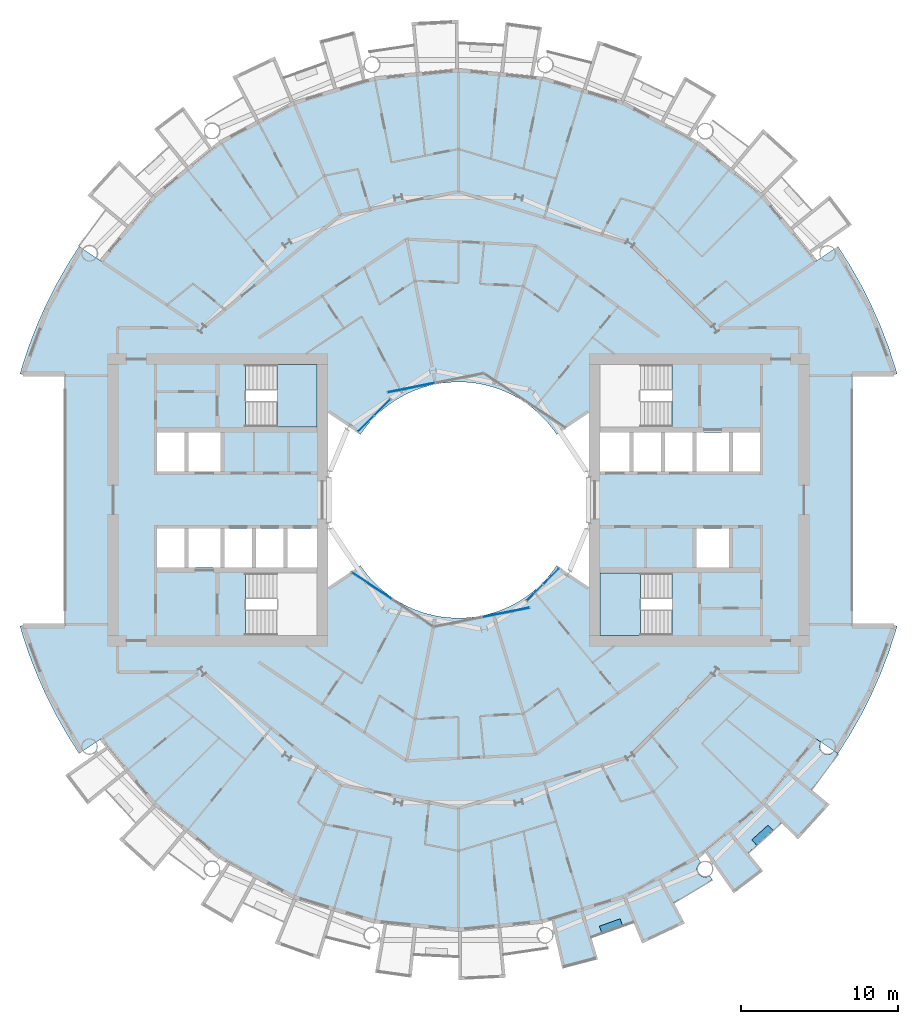
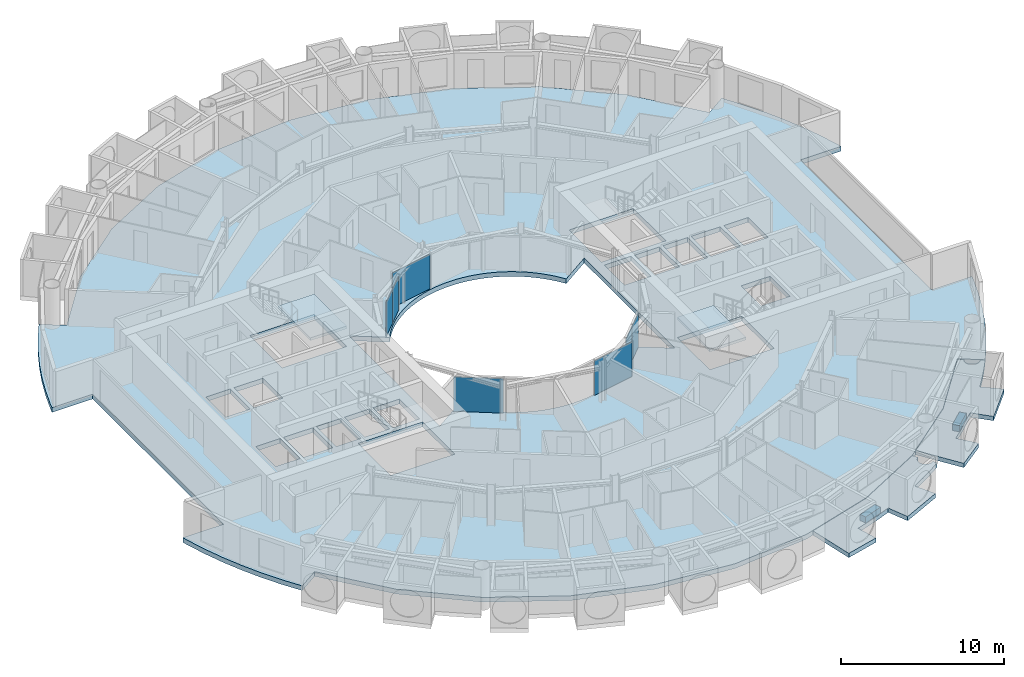
# One storey, part 10 of 26: 7 plates, 7 slabs, 7 elements without a shape of their own.
"""IFC4 building model written with IfcOpenShell, lengths in metres."""

from ifc_helpers import new_model, si_unit, direction, frame, origin, origin_2d, place, context, subcontext, project, spatial, polyline, rectangle, outline, extrude, material, layer, layer_set, type_object, element, aggregate, save


model = new_model("IFC4")

# Units and contexts
model_context = context("Model", 3, precision=1e-05, world=origin(), true_north=direction((0.0, 1.0)))
body_context = subcontext(model_context, "Body", "Model", "MODEL_VIEW")
ifc_project = project(units=[si_unit("LENGTHUNIT", "METRE"), si_unit("AREAUNIT", "SQUARE_METRE"), si_unit("VOLUMEUNIT", "CUBIC_METRE"), si_unit("PLANEANGLEUNIT", "RADIAN"), si_unit("MASSUNIT", "GRAM", prefix="KILO")], contexts=[model_context])

# Site, building, storey
site_placement = place(None, origin())
site = spatial("IfcSite", under=ifc_project, at=site_placement, CompositionType="ELEMENT")
building_placement = place(site_placement, origin())
building = spatial("IfcBuilding", under=site, at=building_placement, Name="Maasbend Ring Residences", CompositionType="ELEMENT")
storey_placement = place(building_placement, frame((0.0, 0.0, 91.050048828125)))
storey = spatial("IfcBuildingStorey", under=building, at=storey_placement, Name="L26", CompositionType="ELEMENT", Elevation=91.050048828125)

# Stair, slab
ifc_material_1 = material(Name="Concrete C40/50", Category="concrete")
stair_type = type_object("IfcStairType", Name="CORE STAIR 18 RISERS", PredefinedType="HALF_TURN_STAIR", material=ifc_material_1)
stair_1_placement = place(storey_placement, origin())
stair_1 = element("IfcStair", 1, at=stair_1_placement, inside=storey, type_object=stair_type, Name="L26 Exit stair ST-E2", PredefinedType="HALF_TURN_STAIR")
ifc_material_2 = material(Name="Concrete C40/50", Category="concrete")
ifc_layer_1 = layer(ifc_material_2, 0.199951171875)
ifc_layer_set_1 = layer_set([ifc_layer_1], Name="Concrete C40/50")
slab_type_1 = type_object("IfcSlabType", Name="CORE STAIR LANDING 200", PredefinedType="LANDING", material=ifc_layer_set_1)
slab_1_placement = place(storey_placement, frame((0.0, 0.0, 1.324951171875)))
slab_1 = element("IfcSlab", 2, at=slab_1_placement, type_object=slab_type_1, Name="ST-E2 landing 1", PredefinedType="LANDING", context=body_context, shape_type="SweptSolid", body=[
    extrude(outline(polyline([(11.550048828125, -4.64990234375), (9.0, -4.64990234375), (9.0, -8.60009765625), (11.550048828125, -8.60009765625), (11.550048828125, -4.64990234375)])), origin(), (0.0, 0.0, 1.0), 0.199951171875),
])
aggregate(stair_1, [slab_1])

stair_2_placement = place(storey_placement, origin())
stair_2 = element("IfcStair", 3, at=stair_2_placement, inside=storey, type_object=stair_type, Name="L26 Exit stair ST-W2", PredefinedType="HALF_TURN_STAIR")
slab_2_placement = place(storey_placement, frame((0.0, 0.0, 1.324951171875)))
slab_2 = element("IfcSlab", 4, at=slab_2_placement, type_object=slab_type_1, Name="ST-W2 landing 1", PredefinedType="LANDING", context=body_context, shape_type="SweptSolid", body=[
    extrude(outline(polyline([(-11.550048828125, 4.64990234375), (-9.0, 4.64990234375), (-9.0, 8.60009765625), (-11.550048828125, 8.60009765625), (-11.550048828125, 4.64990234375)])), origin(), (0.0, 0.0, 1.0), 0.199951171875),
])
aggregate(stair_2, [slab_2])

# Curtain wall, plate
ifc_material_3 = material(Name="Aluminium and clear glass", Category="aluminium")
ifc_layer_2 = layer(ifc_material_3, 0.179931640625)
ifc_layer_set_2 = layer_set([ifc_layer_2], Name="CW-W")
curtain_wall_type = type_object("IfcCurtainWallType", Name="CW-W", PredefinedType="NOTDEFINED", material=ifc_layer_set_2)
curtain_wall_1_placement = place(storey_placement, origin())
curtain_wall_1 = element("IfcCurtainWall", 5, at=curtain_wall_1_placement, inside=storey, type_object=curtain_wall_type, Name="Well curtain wall N2", PredefinedType="NOTDEFINED")
ifc_material_4 = material(Name="Glass clear laminated", Category="glass")
ifc_layer_3 = layer(ifc_material_4, 0.031982421875)
ifc_layer_set_3 = layer_set([ifc_layer_3], Name="CWP-W")
plate_type = type_object("IfcPlateType", Name="CWP-W", PredefinedType="CURTAIN_PANEL", material=ifc_layer_set_3)
plate_1_placement = place(storey_placement, frame((-3.0078125, 7.140380859375, 0.0), z_axis=(0.0, 0.0, 1.0), x_axis=(-0.980785280403, -0.195090322016, 0.0)))
plate_1 = element("IfcPlate", 6, at=plate_1_placement, type_object=plate_type, Name="Glass panel well face", PredefinedType="CURTAIN_PANEL", context=body_context, shape_type="SweptSolid", body=[
    extrude(rectangle(XDim=3.053955078125, YDim=0.031982421875, at=origin_2d()), origin(), (0.0, 0.0, 1.0), 2.580078125),
])
aggregate(curtain_wall_1, [plate_1])

# Curtain wall, plates
curtain_wall_2_placement = place(storey_placement, origin())
curtain_wall_2 = element("IfcCurtainWall", 7, at=curtain_wall_2_placement, inside=storey, type_object=curtain_wall_type, Name="Well curtain wall N3", PredefinedType="NOTDEFINED")
plate_2_placement = place(storey_placement, frame((-4.84375, 5.89013671875, 0.0), z_axis=(0.0, 0.0, 1.0), x_axis=(-0.707106781187, -0.707106781187, 0.0)))
plate_2 = element("IfcPlate", 8, at=plate_2_placement, type_object=plate_type, Name="Glass panel well face", PredefinedType="CURTAIN_PANEL", context=body_context, shape_type="SweptSolid", body=[
    extrude(rectangle(XDim=1.419677734375, YDim=0.031982421875, at=origin_2d()), origin(), (0.0, 0.0, 1.0), 2.580078125),
])
plate_3_placement = place(storey_placement, frame((-5.89013671875, 4.84375, 0.0), z_axis=(0.0, 0.0, 1.0), x_axis=(-0.707106781187, -0.707106781187, 0.0)))
plate_3 = element("IfcPlate", 9, at=plate_3_placement, type_object=plate_type, Name="Glass panel well face", PredefinedType="CURTAIN_PANEL", context=body_context, shape_type="SweptSolid", body=[
    extrude(rectangle(XDim=1.419677734375, YDim=0.031982421875, at=origin_2d()), origin(), (0.0, 0.0, 1.0), 2.580078125),
])
aggregate(curtain_wall_2, [plate_2, plate_3])

# Curtain wall, plate
curtain_wall_3_placement = place(storey_placement, origin())
curtain_wall_3 = element("IfcCurtainWall", 10, at=curtain_wall_3_placement, inside=storey, type_object=curtain_wall_type, Name="Well curtain wall S1", PredefinedType="NOTDEFINED")
plate_4_placement = place(storey_placement, frame((-5.51123046875, -5.44580078125, 0.0), z_axis=(0.0, 0.0, 1.0), x_axis=(0.831469612303, -0.55557023302, 0.0)))
plate_4 = element("IfcPlate", 11, at=plate_4_placement, type_object=plate_type, Name="Glass panel well face", PredefinedType="CURTAIN_PANEL", context=body_context, shape_type="SweptSolid", body=[
    extrude(rectangle(XDim=3.053955078125, YDim=0.031982421875, at=origin_2d()), origin(), (0.0, 0.0, 1.0), 2.580078125),
])
aggregate(curtain_wall_3, [plate_4])

curtain_wall_4_placement = place(storey_placement, origin())
curtain_wall_4 = element("IfcCurtainWall", 12, at=curtain_wall_4_placement, inside=storey, type_object=curtain_wall_type, Name="Well curtain wall S2", PredefinedType="NOTDEFINED")
plate_5_placement = place(storey_placement, frame((3.0078125, -7.140380859375, 0.0), z_axis=(0.0, 0.0, 1.0), x_axis=(0.980785280403, 0.195090322016, 0.0)))
plate_5 = element("IfcPlate", 13, at=plate_5_placement, type_object=plate_type, Name="Glass panel well face", PredefinedType="CURTAIN_PANEL", context=body_context, shape_type="SweptSolid", body=[
    extrude(rectangle(XDim=3.053955078125, YDim=0.031982421875, at=origin_2d()), origin(), (0.0, 0.0, 1.0), 2.580078125),
])
aggregate(curtain_wall_4, [plate_5])

# Curtain wall, plates
curtain_wall_5_placement = place(storey_placement, origin())
curtain_wall_5 = element("IfcCurtainWall", 14, at=curtain_wall_5_placement, inside=storey, type_object=curtain_wall_type, Name="Well curtain wall S3", PredefinedType="NOTDEFINED")
plate_6_placement = place(storey_placement, frame((4.84375, -5.89013671875, 0.0), z_axis=(0.0, 0.0, 1.0), x_axis=(0.707106781187, 0.707106781187, 0.0)))
plate_6 = element("IfcPlate", 15, at=plate_6_placement, type_object=plate_type, Name="Glass panel well face", PredefinedType="CURTAIN_PANEL", context=body_context, shape_type="SweptSolid", body=[
    extrude(rectangle(XDim=1.419677734375, YDim=0.031982421875, at=origin_2d()), origin(), (0.0, 0.0, 1.0), 2.580078125),
])
plate_7_placement = place(storey_placement, frame((5.89013671875, -4.84375, 0.0), z_axis=(0.0, 0.0, 1.0), x_axis=(0.707106781187, 0.707106781187, 0.0)))
plate_7 = element("IfcPlate", 16, at=plate_7_placement, type_object=plate_type, Name="Glass panel well face", PredefinedType="CURTAIN_PANEL", context=body_context, shape_type="SweptSolid", body=[
    extrude(rectangle(XDim=1.419677734375, YDim=0.031982421875, at=origin_2d()), origin(), (0.0, 0.0, 1.0), 2.580078125),
])
aggregate(curtain_wall_5, [plate_6, plate_7])

# Slabs
ifc_material_5 = material(Name="Planting with climbing greenery")
ifc_layer_4 = layer(ifc_material_5, 0.449951171875)
ifc_layer_set_4 = layer_set([ifc_layer_4], Name="PLANTER-LG")
slab_type_2 = type_object("IfcSlabType", Name="PLANTER-LG", PredefinedType="USERDEFINED", material=ifc_layer_set_4)
slab_3_placement = place(storey_placement, frame((0.0, 0.0, -0.030029296875)))
element("IfcSlab", 17, at=slab_3_placement, inside=storey, type_object=slab_type_2, Name="Planter with climbing greenery 4", ObjectType="PLANTER", PredefinedType="USERDEFINED", context=body_context, shape_type="SweptSolid", body=[
    extrude(outline(polyline([(9.09912109375, -27.508056640625), (10.4169921875, -27.035888671875), (10.26611328125, -26.612060546875), (8.947021484375, -27.083984375), (9.09912109375, -27.508056640625)])), origin(), (0.0, 0.0, 1.0), 0.449951171875),
])
slab_4_placement = place(storey_placement, frame((0.0, 0.0, -0.030029296875)))
element("IfcSlab", 18, at=slab_4_placement, inside=storey, type_object=slab_type_2, Name="Planter with climbing greenery 5", ObjectType="PLANTER", PredefinedType="USERDEFINED", context=body_context, shape_type="SweptSolid", body=[
    extrude(outline(polyline([(18.93310546875, -21.931884765625), (19.969970703125, -20.991943359375), (19.66796875, -20.657958984375), (18.631103515625, -21.597900390625), (18.93310546875, -21.931884765625)])), origin(), (0.0, 0.0, 1.0), 0.449951171875),
])
ifc_material_6 = material(Name="Concrete C40/50", Category="concrete")
ifc_layer_5 = layer(ifc_material_6, 0.35009765625)
ifc_layer_set_5 = layer_set([ifc_layer_5], Name="Concrete C40/50")
slab_type_3 = type_object("IfcSlabType", Name="Post-tensioned flat plate 350", PredefinedType="FLOOR", material=ifc_layer_set_5)
slab_5_placement = place(storey_placement, frame((0.0, 0.0, -0.35009765625)))
element("IfcSlab", 19, at=slab_5_placement, inside=storey, type_object=slab_type_3, Name="Floor slab L26", PredefinedType="FLOOR", context=body_context, shape_type="SweptSolid", body=[
    extrude(outline(polyline([(24.8740234375, -14.908935546875), (25.57568359375, -13.67041015625), (26.2158203125, -12.399169921875), (26.79248046875, -11.097900390625), (27.3046875, -9.769775390625), (27.751220703125, -8.418212890625), (27.866943359375, -8.0), (25.0, -8.0), (25.0, 8.0), (27.866943359375, 8.0), (27.751220703125, 8.418212890625), (27.3046875, 9.769775390625), (26.79248046875, 11.097900390625), (26.2158203125, 12.399169921875), (25.57568359375, 13.67041015625), (24.8740234375, 14.908935546875), (24.112548828125, 16.111572265625), (22.69921875, 15.1669921875), (19.303955078125, 19.303955078125), (15.1669921875, 22.69921875), (10.447265625, 25.221923828125), (5.325927734375, 26.775390625), (0.0, 27.300048828125), (-5.325927734375, 26.775390625), (-10.447265625, 25.221923828125), (-15.1669921875, 22.69921875), (-19.303955078125, 19.303955078125), (-22.69921875, 15.1669921875), (-24.112548828125, 16.111572265625), (-24.8740234375, 14.908935546875), (-25.57568359375, 13.67041015625), (-26.2158203125, 12.399169921875), (-26.79248046875, 11.097900390625), (-27.3046875, 9.769775390625), (-27.751220703125, 8.418212890625), (-27.866943359375, 8.0), (-25.0, 8.0), (-25.0, -8.0), (-27.866943359375, -8.0), (-27.751220703125, -8.418212890625), (-27.3046875, -9.769775390625), (-26.79248046875, -11.097900390625), (-26.2158203125, -12.399169921875), (-25.57568359375, -13.67041015625), (-24.8740234375, -14.908935546875), (-24.112548828125, -16.111572265625), (-22.69921875, -15.1669921875), (-19.303955078125, -19.303955078125), (-15.1669921875, -22.69921875), (-10.447265625, -25.221923828125), (-5.325927734375, -26.775390625), (0.0, -27.300048828125), (5.325927734375, -26.775390625), (10.447265625, -25.221923828125), (15.1669921875, -22.69921875), (19.303955078125, -19.303955078125), (22.69921875, -15.1669921875), (24.112548828125, -16.111572265625), (24.8740234375, -14.908935546875)]), holes=[polyline([(17.425048828125, 4.27490234375), (19.14990234375, 4.27490234375), (19.14990234375, 1.824951171875), (17.425048828125, 1.824951171875), (17.425048828125, 4.27490234375)]), polyline([(15.125, 1.824951171875), (15.125, 4.27490234375), (17.175048828125, 4.27490234375), (17.175048828125, 1.824951171875), (15.125, 1.824951171875)]), polyline([(15.125, -4.27490234375), (15.125, -1.824951171875), (17.175048828125, -1.824951171875), (17.175048828125, -4.27490234375), (15.125, -4.27490234375)]), polyline([(13.125, 1.824951171875), (13.125, 4.27490234375), (14.875, 4.27490234375), (14.875, 1.824951171875), (13.125, 1.824951171875)]), polyline([(13.550048828125, 4.64990234375), (9.0, 4.64990234375), (9.0, 8.60009765625), (13.550048828125, 8.60009765625), (13.550048828125, 4.64990234375)]), polyline([(13.550048828125, -4.64990234375), (13.550048828125, -8.60009765625), (9.0, -8.60009765625), (9.0, -4.64990234375), (13.550048828125, -4.64990234375)]), polyline([(11.125, 1.824951171875), (11.125, 4.27490234375), (12.875, 4.27490234375), (12.875, 1.824951171875), (11.125, 1.824951171875)]), polyline([(9.0, 1.824951171875), (9.0, 4.27490234375), (10.875, 4.27490234375), (10.875, 1.824951171875), (9.0, 1.824951171875)]), polyline([(6.024169921875, 4.4677734375), (6.236083984375, 4.166748046875), (8.300048828125, 5.5458984375), (8.300048828125, -5.5458984375), (6.236083984375, -4.166748046875), (6.024169921875, -4.4677734375), (5.797607421875, -4.7578125), (5.55712890625, -5.03662109375), (5.30322265625, -5.30322265625), (5.03662109375, -5.55712890625), (4.7578125, -5.797607421875), (4.4677734375, -6.024169921875), (4.166748046875, -6.236083984375), (3.855712890625, -6.43310546875), (3.535400390625, -6.614501953125), (3.206787109375, -6.77978515625), (2.8701171875, -6.92919921875), (2.526611328125, -7.0615234375), (2.177001953125, -7.177001953125), (1.822509765625, -7.275146484375), (1.463134765625, -7.35595703125), (1.1005859375, -7.418701171875), (0.735107421875, -7.4638671875), (0.367919921875, -7.490966796875), (0.0, -7.5), (-0.367919921875, -7.490966796875), (-0.735107421875, -7.4638671875), (-1.1005859375, -7.418701171875), (-1.463134765625, -7.35595703125), (-1.822509765625, -7.275146484375), (-2.177001953125, -7.177001953125), (-2.526611328125, -7.0615234375), (-2.8701171875, -6.92919921875), (-3.206787109375, -6.77978515625), (-3.535400390625, -6.614501953125), (-3.855712890625, -6.43310546875), (-4.166748046875, -6.236083984375), (-4.4677734375, -6.024169921875), (-4.7578125, -5.797607421875), (-5.03662109375, -5.55712890625), (-5.30322265625, -5.30322265625), (-5.55712890625, -5.03662109375), (-5.797607421875, -4.7578125), (-6.024169921875, -4.4677734375), (-6.236083984375, -4.166748046875), (-8.300048828125, -5.5458984375), (-8.300048828125, 5.5458984375), (-6.236083984375, 4.166748046875), (-6.236083984375, 4.166748046875), (-6.024169921875, 4.4677734375), (-5.797607421875, 4.7578125), (-5.55712890625, 5.03662109375), (-5.30322265625, 5.30322265625), (-5.03662109375, 5.55712890625), (-4.7578125, 5.797607421875), (-4.4677734375, 6.024169921875), (-4.166748046875, 6.236083984375), (-3.855712890625, 6.43310546875), (-3.535400390625, 6.614501953125), (-3.206787109375, 6.77978515625), (-2.8701171875, 6.92919921875), (-2.526611328125, 7.0615234375), (-2.177001953125, 7.177001953125), (-1.822509765625, 7.275146484375), (-1.463134765625, 7.35595703125), (-1.1005859375, 7.418701171875), (-0.735107421875, 7.4638671875), (-0.367919921875, 7.490966796875), (0.0, 7.5), (0.367919921875, 7.490966796875), (0.735107421875, 7.4638671875), (1.1005859375, 7.418701171875), (1.463134765625, 7.35595703125), (1.822509765625, 7.275146484375), (2.177001953125, 7.177001953125), (2.526611328125, 7.0615234375), (2.8701171875, 6.92919921875), (3.206787109375, 6.77978515625), (3.535400390625, 6.614501953125), (3.855712890625, 6.43310546875), (4.166748046875, 6.236083984375), (4.4677734375, 6.024169921875), (4.7578125, 5.797607421875), (5.03662109375, 5.55712890625), (5.30322265625, 5.30322265625), (5.55712890625, 5.03662109375), (5.797607421875, 4.7578125), (6.024169921875, 4.4677734375)]), polyline([(-13.550048828125, 4.64990234375), (-13.550048828125, 8.60009765625), (-9.0, 8.60009765625), (-9.0, 4.64990234375), (-13.550048828125, 4.64990234375)]), polyline([(-13.550048828125, -8.60009765625), (-13.550048828125, -4.64990234375), (-9.0, -4.64990234375), (-9.0, -8.60009765625), (-13.550048828125, -8.60009765625)]), polyline([(-9.0, -1.824951171875), (-9.0, -4.27490234375), (-10.875, -4.27490234375), (-10.875, -1.824951171875), (-9.0, -1.824951171875)]), polyline([(-11.125, -1.824951171875), (-11.125, -4.27490234375), (-12.875, -4.27490234375), (-12.875, -1.824951171875), (-11.125, -1.824951171875)]), polyline([(-13.125, -1.824951171875), (-13.125, -4.27490234375), (-14.875, -4.27490234375), (-14.875, -1.824951171875), (-13.125, -1.824951171875)]), polyline([(-15.125, 4.27490234375), (-15.125, 1.824951171875), (-17.175048828125, 1.824951171875), (-17.175048828125, 4.27490234375), (-15.125, 4.27490234375)]), polyline([(-15.125, -1.824951171875), (-15.125, -4.27490234375), (-17.175048828125, -4.27490234375), (-17.175048828125, -1.824951171875), (-15.125, -1.824951171875)]), polyline([(-17.425048828125, -1.824951171875), (-17.425048828125, -4.27490234375), (-19.14990234375, -4.27490234375), (-19.14990234375, -1.824951171875), (-17.425048828125, -1.824951171875)]), polyline([(-17.425048828125, 4.27490234375), (-17.425048828125, 1.824951171875), (-19.14990234375, 1.824951171875), (-19.14990234375, 4.27490234375), (-17.425048828125, 4.27490234375)])]), origin(), (0.0, 0.0, 1.0), 0.35009765625),
])
ifc_material_7 = material(Name="Concrete C40/50", Category="concrete")
ifc_layer_6 = layer(ifc_material_7, 0.199951171875)
ifc_layer_set_6 = layer_set([ifc_layer_6], Name="Concrete C40/50")
slab_type_4 = type_object("IfcSlabType", Name="SL-LOGGIA", PredefinedType="FLOOR", material=ifc_layer_set_6)
slab_6_placement = place(storey_placement, frame((0.0, 0.0, -0.35009765625)))
element("IfcSlab", 20, at=slab_6_placement, inside=storey, type_object=slab_type_4, Name="Loggia floor 1", PredefinedType="FLOOR", context=body_context, shape_type="SweptSolid", body=[
    extrude(outline(polyline([(10.447021484375, -25.221923828125), (12.806884765625, -23.9609375), (15.1669921875, -22.698974609375), (15.1669921875, -22.698974609375), (15.1669921875, -22.698974609375), (15.385009765625, -23.02490234375), (15.375, -23.031982421875), (15.364013671875, -23.0390625), (15.35498046875, -23.047119140625), (15.344970703125, -23.054931640625), (15.3349609375, -23.06298828125), (15.325927734375, -23.071044921875), (15.31689453125, -23.0791015625), (15.30810546875, -23.087890625), (15.299072265625, -23.096923828125), (15.291015625, -23.10595703125), (15.281982421875, -23.115966796875), (15.27392578125, -23.125), (15.26708984375, -23.135009765625), (15.259033203125, -23.14501953125), (15.251953125, -23.155029296875), (15.2451171875, -23.1650390625), (15.238037109375, -23.176025390625), (15.23095703125, -23.18603515625), (15.22509765625, -23.197021484375), (15.218994140625, -23.2080078125), (15.212890625, -23.218994140625), (15.2080078125, -23.22998046875), (15.202880859375, -23.241943359375), (15.197998046875, -23.2529296875), (15.193115234375, -23.264892578125), (15.18896484375, -23.27587890625), (15.18505859375, -23.2880859375), (15.180908203125, -23.300048828125), (15.177978515625, -23.31201171875), (15.174072265625, -23.323974609375), (15.1708984375, -23.3359375), (15.1689453125, -23.347900390625), (15.1669921875, -23.361083984375), (15.1650390625, -23.373046875), (15.1630859375, -23.385009765625), (15.162109375, -23.39794921875), (15.159912109375, -23.409912109375), (15.159912109375, -23.422119140625), (15.158935546875, -23.43505859375), (15.158935546875, -23.447021484375), (15.158935546875, -23.4599609375), (15.159912109375, -23.471923828125), (15.159912109375, -23.485107421875), (15.162109375, -23.4970703125), (15.1630859375, -23.510009765625), (15.1650390625, -23.52197265625), (15.1669921875, -23.533935546875), (15.1689453125, -23.547119140625), (15.1708984375, -23.55908203125), (15.174072265625, -23.571044921875), (15.177978515625, -23.5830078125), (15.180908203125, -23.594970703125), (15.18505859375, -23.60693359375), (15.18896484375, -23.618896484375), (15.193115234375, -23.6298828125), (15.197998046875, -23.64208984375), (15.202880859375, -23.653076171875), (15.2080078125, -23.6650390625), (15.212890625, -23.676025390625), (15.218994140625, -23.68701171875), (15.22509765625, -23.697998046875), (15.23095703125, -23.708984375), (15.238037109375, -23.718994140625), (15.2451171875, -23.72998046875), (15.251953125, -23.739990234375), (15.259033203125, -23.75), (15.26708984375, -23.760009765625), (15.27392578125, -23.77001953125), (15.281982421875, -23.779052734375), (15.291015625, -23.7890625), (15.299072265625, -23.798095703125), (15.30810546875, -23.806884765625), (15.31689453125, -23.81494140625), (15.325927734375, -23.823974609375), (15.3349609375, -23.83203125), (15.344970703125, -23.840087890625), (15.35498046875, -23.847900390625), (15.364013671875, -23.85498046875), (15.375, -23.863037109375), (15.385009765625, -23.8701171875), (15.39501953125, -23.876953125), (15.406005859375, -23.883056640625), (15.4169921875, -23.888916015625), (15.427978515625, -23.89501953125), (15.43896484375, -23.90087890625), (15.449951171875, -23.906982421875), (15.4609375, -23.912109375), (15.472900390625, -23.9169921875), (15.48388671875, -23.9208984375), (15.49609375, -23.926025390625), (15.508056640625, -23.929931640625), (15.52001953125, -23.93408203125), (15.531982421875, -23.93701171875), (15.5439453125, -23.93994140625), (15.555908203125, -23.943115234375), (15.568115234375, -23.946044921875), (15.580078125, -23.947998046875), (15.593017578125, -23.949951171875), (15.60498046875, -23.951904296875), (15.616943359375, -23.952880859375), (15.6298828125, -23.9541015625), (15.64208984375, -23.955078125), (15.655029296875, -23.955078125), (15.6669921875, -23.955078125), (15.679931640625, -23.955078125), (15.69189453125, -23.955078125), (15.7041015625, -23.9541015625), (15.717041015625, -23.952880859375), (15.72900390625, -23.951904296875), (15.741943359375, -23.949951171875), (15.75390625, -23.947998046875), (15.76611328125, -23.946044921875), (15.778076171875, -23.943115234375), (15.791015625, -23.93994140625), (15.802978515625, -23.93701171875), (15.81494140625, -23.93408203125), (15.825927734375, -23.929931640625), (15.837890625, -23.926025390625), (15.85009765625, -23.9208984375), (15.862060546875, -23.9169921875), (15.873046875, -23.912109375), (15.884033203125, -23.906982421875), (15.89599609375, -23.90087890625), (15.906982421875, -23.89501953125), (15.9169921875, -23.888916015625), (15.927978515625, -23.883056640625), (15.93896484375, -23.876953125), (15.948974609375, -23.8701171875), (16.112060546875, -24.113037109375), (16.112060546875, -24.113037109375), (16.112060546875, -24.113037109375), (15.31396484375, -24.626953125), (15.31396484375, -24.626953125), (14.5, -25.114990234375), (14.5, -25.114990234375), (13.6708984375, -25.574951171875), (13.6708984375, -25.575927734375), (13.6708984375, -25.575927734375), (13.6708984375, -25.575927734375), (13.6708984375, -25.575927734375), (13.6708984375, -25.575927734375), (13.6708984375, -25.575927734375), (13.6708984375, -25.575927734375), (13.6708984375, -25.575927734375), (13.6708984375, -25.575927734375), (13.6708984375, -25.575927734375), (13.6708984375, -25.575927734375), (13.6708984375, -25.575927734375), (13.6708984375, -25.575927734375), (13.6708984375, -25.575927734375), (13.6708984375, -25.575927734375), (13.6708984375, -25.575927734375), (14.3779296875, -26.89892578125), (14.3779296875, -26.89892578125), (14.3779296875, -26.89892578125), (11.672119140625, -28.177978515625), (11.672119140625, -28.177978515625), (11.672119140625, -28.177978515625), (11.097900390625, -26.79296875), (11.097900390625, -26.79296875), (11.097900390625, -26.79296875), (11.097900390625, -26.79296875), (11.097900390625, -26.79296875), (11.097900390625, -26.79296875), (11.097900390625, -26.79296875), (11.097900390625, -26.79296875), (11.097900390625, -26.79296875), (11.097900390625, -26.79296875), (11.097900390625, -26.79296875), (11.097900390625, -26.79296875), (11.097900390625, -26.79296875), (11.097900390625, -26.79296875), (11.096923828125, -26.79296875), (11.096923828125, -26.79296875), (11.096923828125, -26.79296875), (10.215087890625, -27.14111328125), (10.215087890625, -27.14111328125), (9.322021484375, -27.4609375), (9.322021484375, -27.4609375), (8.4189453125, -27.7509765625), (8.4189453125, -27.7509765625), (8.4189453125, -27.7509765625), (8.4189453125, -27.7509765625), (8.4189453125, -27.7509765625), (8.4189453125, -27.7509765625), (8.41796875, -27.7509765625), (8.41796875, -27.7509765625), (8.41796875, -27.7509765625), (8.41796875, -27.7509765625), (8.41796875, -27.7509765625), (8.41796875, -27.751953125), (8.41796875, -27.751953125), (8.41796875, -27.751953125), (8.41796875, -27.751953125), (8.41796875, -27.751953125), (8.41796875, -27.751953125), (8.85400390625, -29.18701171875), (8.85400390625, -29.18701171875), (8.85400390625, -29.18701171875), (6.593994140625, -29.779052734375), (6.593994140625, -29.779052734375), (6.593994140625, -29.779052734375), (5.89111328125, -26.60400390625), (5.89111328125, -26.60400390625), (5.89111328125, -26.60400390625), (7.886962890625, -25.9990234375), (10.447021484375, -25.221923828125), (10.447021484375, -25.221923828125), (10.447021484375, -25.221923828125)])), origin(), (0.0, 0.0, 1.0), 0.320068359375),
])
slab_7_placement = place(storey_placement, frame((0.0, 0.0, -0.35009765625)))
element("IfcSlab", 21, at=slab_7_placement, inside=storey, type_object=slab_type_4, Name="Loggia floor 4", PredefinedType="FLOOR", context=body_context, shape_type="SweptSolid", body=[
    extrude(outline(polyline([(19.303955078125, -19.303955078125), (21.001953125, -17.236083984375), (22.698974609375, -15.1669921875), (22.698974609375, -15.1669921875), (22.698974609375, -15.1669921875), (23.02490234375, -15.385009765625), (23.02490234375, -15.385009765625), (23.01806640625, -15.39501953125), (23.011962890625, -15.406005859375), (23.0048828125, -15.4169921875), (22.9990234375, -15.427978515625), (22.993896484375, -15.43896484375), (22.988037109375, -15.449951171875), (22.98291015625, -15.4609375), (22.97802734375, -15.472900390625), (22.972900390625, -15.48388671875), (22.968994140625, -15.49609375), (22.965087890625, -15.508056640625), (22.9609375, -15.52001953125), (22.9580078125, -15.531982421875), (22.955078125, -15.5439453125), (22.951904296875, -15.555908203125), (22.948974609375, -15.568115234375), (22.947021484375, -15.580078125), (22.945068359375, -15.593017578125), (22.943115234375, -15.60498046875), (22.94189453125, -15.616943359375), (22.94091796875, -15.6298828125), (22.93994140625, -15.64208984375), (22.93994140625, -15.655029296875), (22.93896484375, -15.6669921875), (22.93994140625, -15.679931640625), (22.93994140625, -15.69189453125), (22.94091796875, -15.7041015625), (22.94189453125, -15.717041015625), (22.943115234375, -15.72900390625), (22.945068359375, -15.741943359375), (22.947021484375, -15.75390625), (22.948974609375, -15.76611328125), (22.951904296875, -15.778076171875), (22.955078125, -15.791015625), (22.9580078125, -15.802978515625), (22.9609375, -15.81494140625), (22.965087890625, -15.825927734375), (22.968994140625, -15.837890625), (22.972900390625, -15.85009765625), (22.97802734375, -15.862060546875), (22.98291015625, -15.873046875), (22.988037109375, -15.884033203125), (22.993896484375, -15.89599609375), (22.9990234375, -15.906982421875), (23.0048828125, -15.9169921875), (23.011962890625, -15.927978515625), (23.01806640625, -15.93896484375), (23.02490234375, -15.948974609375), (23.031982421875, -15.9599609375), (23.0390625, -15.969970703125), (23.047119140625, -15.97998046875), (23.054931640625, -15.989013671875), (23.06298828125, -15.9990234375), (23.071044921875, -16.008056640625), (23.0791015625, -16.01708984375), (23.087890625, -16.02587890625), (23.096923828125, -16.034912109375), (23.10595703125, -16.0439453125), (23.115966796875, -16.052001953125), (23.125, -16.06005859375), (23.135009765625, -16.068115234375), (23.14501953125, -16.074951171875), (23.155029296875, -16.08203125), (23.1650390625, -16.089111328125), (23.176025390625, -16.095947265625), (23.18603515625, -16.10302734375), (23.197021484375, -16.10888671875), (23.2080078125, -16.114990234375), (23.218994140625, -16.12109375), (23.22998046875, -16.1259765625), (23.241943359375, -16.132080078125), (23.2529296875, -16.135986328125), (23.264892578125, -16.14111328125), (23.27587890625, -16.14501953125), (23.2880859375, -16.14892578125), (23.300048828125, -16.153076171875), (23.31201171875, -16.156982421875), (23.323974609375, -16.159912109375), (23.3359375, -16.1630859375), (23.347900390625, -16.1650390625), (23.361083984375, -16.16796875), (23.373046875, -16.169921875), (23.385009765625, -16.1708984375), (23.39794921875, -16.173095703125), (23.409912109375, -16.174072265625), (23.422119140625, -16.174072265625), (23.43505859375, -16.175048828125), (23.447021484375, -16.175048828125), (23.4599609375, -16.175048828125), (23.471923828125, -16.174072265625), (23.485107421875, -16.174072265625), (23.4970703125, -16.173095703125), (23.510009765625, -16.1708984375), (23.52197265625, -16.169921875), (23.533935546875, -16.16796875), (23.547119140625, -16.1650390625), (23.55908203125, -16.1630859375), (23.571044921875, -16.159912109375), (23.5830078125, -16.156982421875), (23.594970703125, -16.153076171875), (23.60693359375, -16.14892578125), (23.618896484375, -16.14501953125), (23.6298828125, -16.14111328125), (23.64208984375, -16.135986328125), (23.653076171875, -16.132080078125), (23.6650390625, -16.1259765625), (23.676025390625, -16.12109375), (23.68701171875, -16.114990234375), (23.697998046875, -16.10888671875), (23.708984375, -16.10302734375), (23.718994140625, -16.095947265625), (23.72998046875, -16.089111328125), (23.739990234375, -16.08203125), (23.75, -16.074951171875), (23.760009765625, -16.068115234375), (23.77001953125, -16.06005859375), (23.779052734375, -16.052001953125), (23.7890625, -16.0439453125), (23.798095703125, -16.034912109375), (23.806884765625, -16.02587890625), (23.81494140625, -16.01708984375), (23.823974609375, -16.008056640625), (23.83203125, -15.9990234375), (23.840087890625, -15.989013671875), (23.847900390625, -15.97998046875), (23.85498046875, -15.969970703125), (23.863037109375, -15.9599609375), (23.8701171875, -15.948974609375), (23.8701171875, -15.948974609375), (24.113037109375, -16.112060546875), (24.113037109375, -16.112060546875), (24.113037109375, -16.112060546875), (23.572998046875, -16.89208984375), (23.572998046875, -16.89208984375), (23.007080078125, -17.654052734375), (23.007080078125, -17.654052734375), (22.41796875, -18.39697265625), (22.41796875, -18.39697265625), (22.41796875, -18.39697265625), (22.41796875, -18.39697265625), (22.41796875, -18.39697265625), (22.41796875, -18.39697265625), (22.41796875, -18.39697265625), (22.41796875, -18.39697265625), (22.41796875, -18.39697265625), (22.41796875, -18.39697265625), (22.41796875, -18.39697265625), (22.41796875, -18.39794921875), (22.41796875, -18.39794921875), (22.41796875, -18.39794921875), (22.41796875, -18.39794921875), (22.41796875, -18.39794921875), (22.41796875, -18.39794921875), (23.576904296875, -19.34912109375), (23.576904296875, -19.34912109375), (23.576904296875, -19.34912109375), (21.56689453125, -21.56689453125), (21.56689453125, -21.56689453125), (21.56689453125, -21.56689453125), (20.506103515625, -20.506103515625), (20.506103515625, -20.506103515625), (20.506103515625, -20.506103515625), (20.506103515625, -20.506103515625), (20.506103515625, -20.506103515625), (20.506103515625, -20.506103515625), (20.506103515625, -20.506103515625), (20.506103515625, -20.506103515625), (20.506103515625, -20.506103515625), (20.506103515625, -20.506103515625), (20.506103515625, -20.506103515625), (20.506103515625, -20.506103515625), (20.506103515625, -20.506103515625), (20.506103515625, -20.506103515625), (20.506103515625, -20.506103515625), (20.506103515625, -20.506103515625), (20.506103515625, -20.506103515625), (19.823974609375, -21.166015625), (19.823974609375, -21.166015625), (19.12109375, -21.802978515625), (19.12109375, -21.802978515625), (18.39794921875, -22.4169921875), (18.39794921875, -22.4169921875), (18.39794921875, -22.4169921875), (18.39794921875, -22.4169921875), (18.39794921875, -22.4169921875), (18.39794921875, -22.4169921875), (18.39794921875, -22.4169921875), (18.39794921875, -22.4169921875), (18.39794921875, -22.4169921875), (18.39794921875, -22.4169921875), (18.39794921875, -22.4169921875), (18.39794921875, -22.4169921875), (18.39794921875, -22.41796875), (18.39794921875, -22.41796875), (18.39794921875, -22.41796875), (18.39794921875, -22.41796875), (18.39794921875, -22.41796875), (19.34912109375, -23.576904296875), (19.34912109375, -23.576904296875), (19.34912109375, -23.576904296875), (17.488037109375, -24.989013671875), (17.488037109375, -24.989013671875), (17.488037109375, -24.989013671875), (15.623046875, -22.324951171875), (15.623046875, -22.324951171875), (15.623046875, -22.324951171875), (17.236083984375, -21.001953125), (19.303955078125, -19.303955078125), (19.303955078125, -19.303955078125), (19.303955078125, -19.303955078125)])), origin(), (0.0, 0.0, 1.0), 0.320068359375),
])

save(model, "model.ifc")
